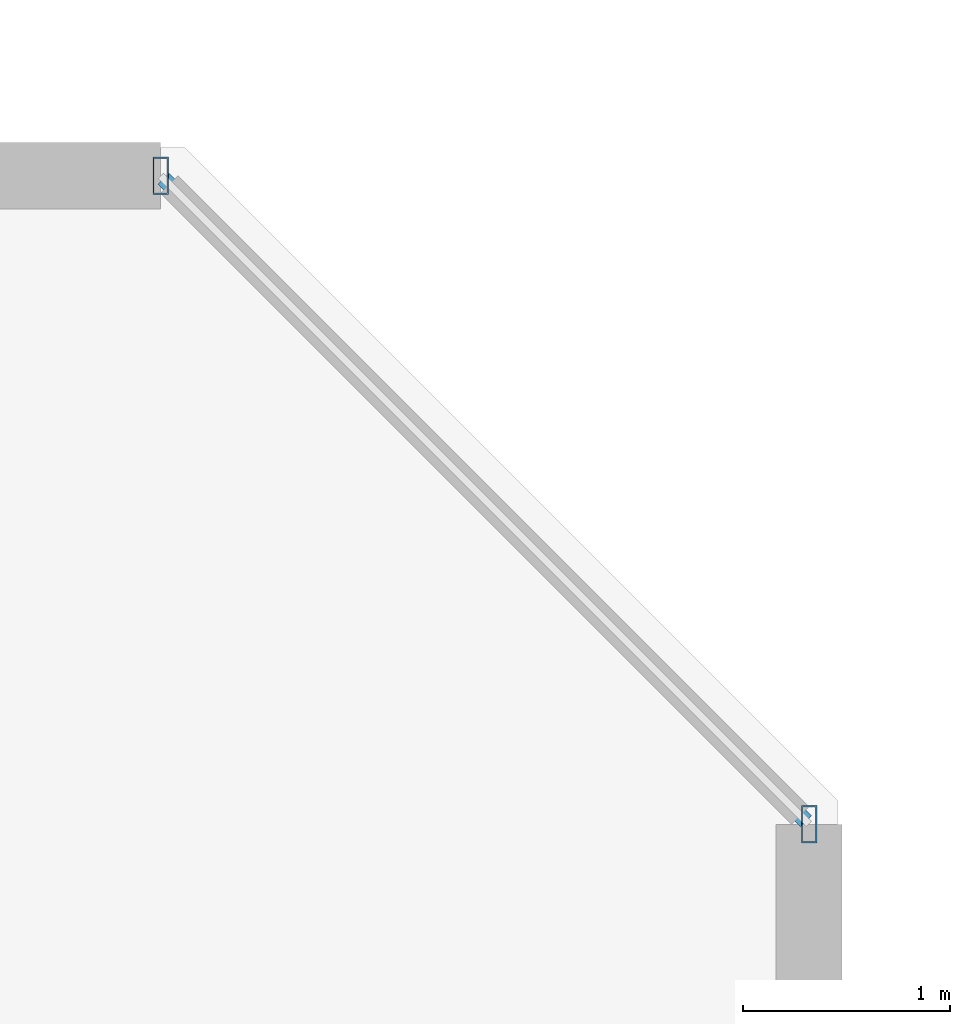
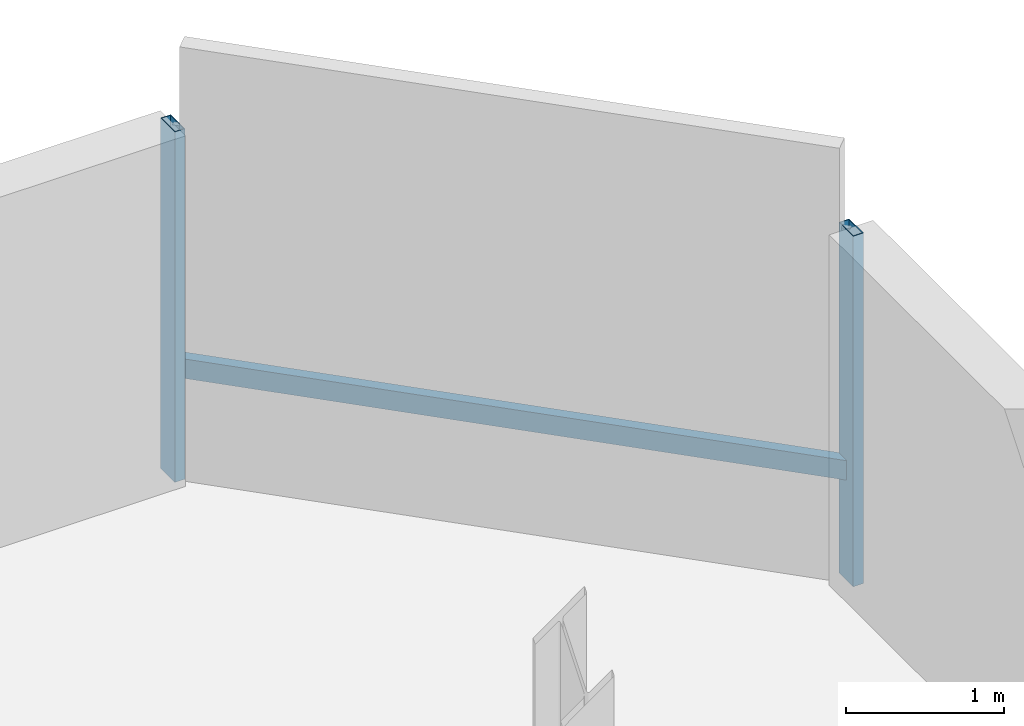
# One storey, part 12 of 35: 3 members, 1 element without a shape of its own.
"""IFC4 building model written with IfcOpenShell, lengths in metres."""

from ifc_helpers import new_model, si_unit, direction, frame, origin, origin_2d, place, context, subcontext, project, spatial, hollow_rectangle, extrude, material, material_profile, profile_set, type_object, element, aggregate, save


model = new_model("IFC4")

# Units and contexts
model_context = context("Model", 3, precision=1e-05, world=origin(), true_north=direction((0.0, 1.0)))
body_context = subcontext(model_context, "Body", "Model", "MODEL_VIEW")
ifc_project = project(units=[si_unit("LENGTHUNIT", "METRE"), si_unit("AREAUNIT", "SQUARE_METRE"), si_unit("VOLUMEUNIT", "CUBIC_METRE"), si_unit("PLANEANGLEUNIT", "RADIAN"), si_unit("MASSUNIT", "GRAM", prefix="KILO")], contexts=[model_context])

# Site, building, storey
site_placement = place(None, origin())
site = spatial("IfcSite", under=ifc_project, at=site_placement, CompositionType="ELEMENT")
building_placement = place(site_placement, origin())
building = spatial("IfcBuilding", under=site, at=building_placement, Name="Thornwick Lancets Civic Towers", CompositionType="ELEMENT")
storey_placement = place(building_placement, frame((0.0, 0.0, 269.10009765625)))
storey = spatial("IfcBuildingStorey", under=building, at=storey_placement, Name="L72", CompositionType="ELEMENT", Elevation=269.10009765625)

# Curtain wall, members
ifc_material_1 = material(Name="High-zone chamfered-corner unitised glass curtain wall", Category="glass")
curtain_wall_type = type_object("IfcCurtainWallType", Name="CW_SYS_05", PredefinedType="NOTDEFINED", material=ifc_material_1)
curtain_wall_placement = place(storey_placement, origin())
curtain_wall = element("IfcCurtainWall", 1, at=curtain_wall_placement, inside=storey, type_object=curtain_wall_type, Name="L72 Curtain Wall CW-L72-A-E3", PredefinedType="NOTDEFINED")
ifc_material_2 = material(Name="Thermally broken bronze aluminium S355", Category="steel")
ifc_material_profile_1 = material_profile(ifc_material_2, hollow_rectangle(XDim=0.074951171875, YDim=0.179931640625, WallThickness=0.006103515625, at=origin_2d()), Name="RHS 180x75x6")
ifc_profile_set_1 = profile_set([ifc_material_profile_1], Name="Thermally broken bronze aluminium S355")
member_type_1 = type_object("IfcMemberType", Name="CW_MUL_180", PredefinedType="MULLION", material=ifc_profile_set_1)
member_1_placement = place(storey_placement, frame((49.2626953125, 41.62939453125, 0.0), z_axis=(0.0, 0.0, 1.0), x_axis=(1.0, 0.0, 0.0)))
member_1 = element("IfcMember", 2, at=member_1_placement, type_object=member_type_1, Name="CW-L72-A-E3 Mullion 0", PredefinedType="MULLION", context=body_context, shape_type="SweptSolid", body=[
    extrude(hollow_rectangle(XDim=0.074951171875, YDim=0.179931640625, WallThickness=0.006103515625, at=origin_2d()), origin(), (0.0, 0.0, 1.0), 2.699951171875),
])
member_2_placement = place(storey_placement, frame((46.12939453125, 44.7626953125, 0.0), z_axis=(0.0, 0.0, 1.0), x_axis=(1.0, 0.0, 0.0)))
member_2 = element("IfcMember", 3, at=member_2_placement, type_object=member_type_1, Name="CW-L72-A-E3 Mullion 1", PredefinedType="MULLION", context=body_context, shape_type="SweptSolid", body=[
    extrude(hollow_rectangle(XDim=0.074951171875, YDim=0.179931640625, WallThickness=0.006103515625, at=origin_2d()), origin(), (0.0, 0.0, 1.0), 2.699951171875),
])
ifc_material_profile_2 = material_profile(ifc_material_2, hollow_rectangle(XDim=0.074951171875, YDim=0.14990234375, WallThickness=0.0048828125, at=origin_2d()), Name="RHS 150x75x5")
ifc_profile_set_2 = profile_set([ifc_material_profile_2], Name="Thermally broken bronze aluminium S355")
member_type_2 = type_object("IfcMemberType", Name="CW_TRN_150", PredefinedType="USERDEFINED", material=ifc_profile_set_2)
member_3_placement = place(storey_placement, frame((49.248779296875, 41.6435546875, 0.849853515625), z_axis=(-0.707106781187, 0.707106781187, 0.0), x_axis=(-0.707106781187, -0.707106781187, 0.0)))
member_3 = element("IfcMember", 4, at=member_3_placement, type_object=member_type_2, Name="CW-L72-A-E3 Transom 0", ObjectType="TRANSOM", PredefinedType="USERDEFINED", context=body_context, shape_type="SweptSolid", body=[
    extrude(hollow_rectangle(XDim=0.074951171875, YDim=0.14990234375, WallThickness=0.0048828125, at=origin_2d()), origin(), (0.0, 0.0, 1.0), 4.391357421875),
])
aggregate(curtain_wall, [member_1, member_2, member_3])

save(model, "model.ifc")
